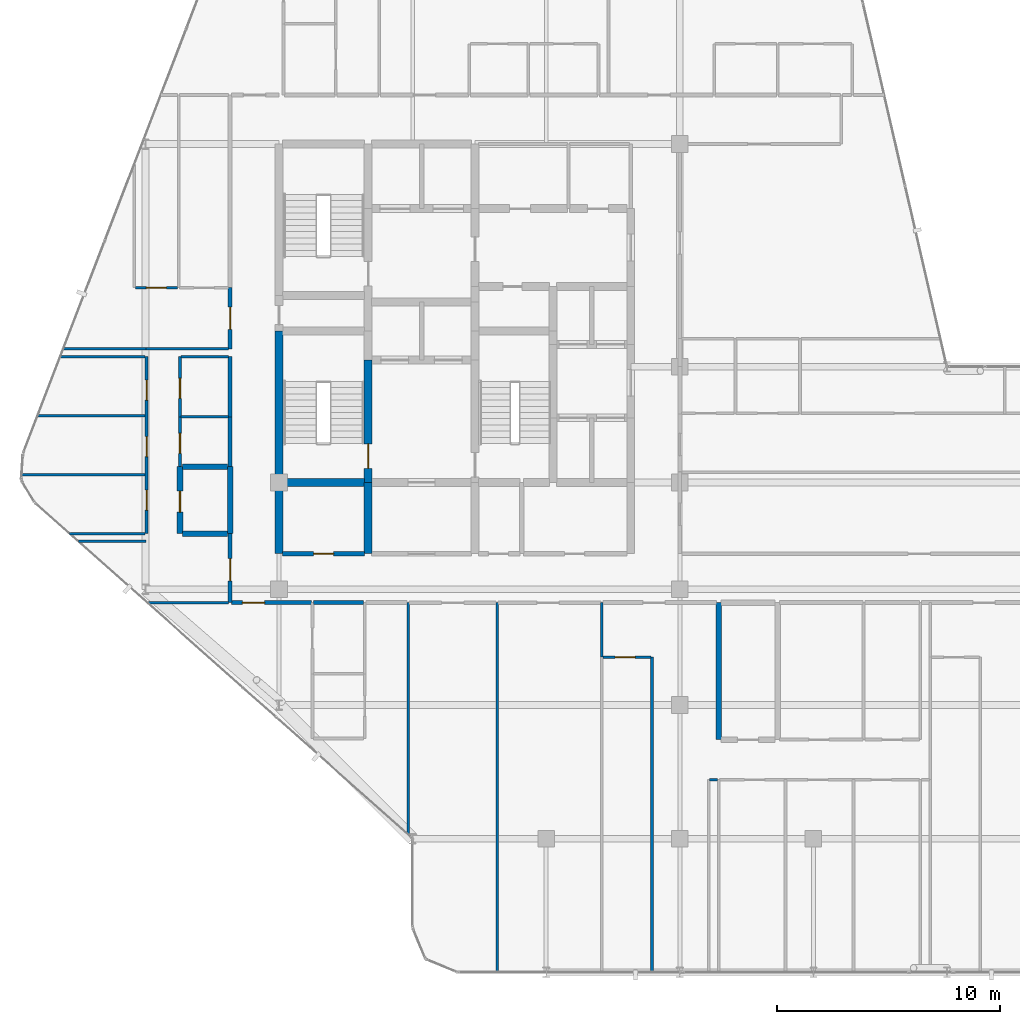
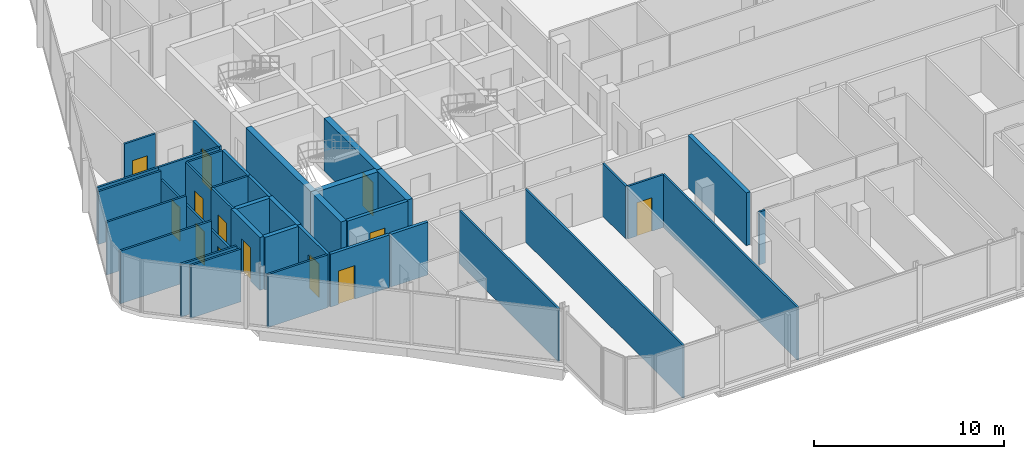
# One storey, part 23 of 29: 37 walls, 13 doors, 13 openings.
"""IFC4 building model written with IfcOpenShell, lengths in metres."""

from ifc_helpers import new_model, si_unit, direction, frame, frame_2d, origin, place, context, subcontext, project, spatial, rectangle, extrude, material, layer, layer_set, type_object, element, fill, save


model = new_model("IFC4")

# Units and contexts
model_context = context("Model", 3, precision=1e-05, world=origin(), true_north=direction((0.0, 1.0)))
body_context = subcontext(model_context, "Body", "Model", "MODEL_VIEW")
ifc_project = project(units=[si_unit("LENGTHUNIT", "METRE"), si_unit("AREAUNIT", "SQUARE_METRE"), si_unit("VOLUMEUNIT", "CUBIC_METRE"), si_unit("PLANEANGLEUNIT", "RADIAN"), si_unit("MASSUNIT", "GRAM", prefix="KILO")], contexts=[model_context])

# Site, building, storey
site_placement = place(None, origin())
site = spatial("IfcSite", under=ifc_project, at=site_placement, CompositionType="ELEMENT")
building_placement = place(site_placement, origin())
building = spatial("IfcBuilding", under=site, at=building_placement, Name="Keshet Zoharim Tower", CompositionType="ELEMENT")
storey_placement = place(building_placement, frame((0.0, 0.0, 210.60009765625)))
storey = spatial("IfcBuildingStorey", under=building, at=storey_placement, Name="L52", CompositionType="ELEMENT", Elevation=210.60009765625)

# Walls
ifc_material_1 = material(Name="Concrete C60/75", Category="concrete")
ifc_layer_1 = layer(ifc_material_1, 0.35009765625)
ifc_layer_set_1 = layer_set([ifc_layer_1], Name="Concrete C60/75")
wall_type_1 = type_object("IfcWallType", Name="WL-CORE-350", PredefinedType="SHEAR", material=ifc_layer_set_1)
wall_1_placement = place(storey_placement, frame((15.0, 19.5, 0.0), z_axis=(0.0, 0.0, 1.0), x_axis=(0.0, 1.0, 0.0)))
element("IfcWall", 1, at=wall_1_placement, inside=storey, type_object=wall_type_1, Name="L52 Core Shear Wall 013", PredefinedType="SHEAR", context=body_context, shape_type="SweptSolid", body=[
    extrude(rectangle(XDim=3.199951171875, YDim=0.35009765625, at=frame_2d((1.60009765625, 0.0))), origin(), (0.0, 0.0, 1.0), 3.389892578125),
])
wall_2_placement = place(storey_placement, frame((15.0, 22.699951171875, 0.0), z_axis=(0.0, 0.0, 1.0), x_axis=(0.0, 1.0, 0.0)))
element("IfcWall", 2, at=wall_2_placement, inside=storey, type_object=wall_type_1, Name="L52 Core Shear Wall 014", PredefinedType="SHEAR", context=body_context, shape_type="SweptSolid", body=[
    extrude(rectangle(XDim=6.800048828125, YDim=0.35009765625, at=frame_2d((3.39990234375, 0.0))), origin(), (0.0, 0.0, 1.0), 3.389892578125),
])
wall_3_placement = place(storey_placement, frame((19.0, 19.5, 0.0), z_axis=(0.0, 0.0, 1.0), x_axis=(0.0, 1.0, 0.0)))
element("IfcWall", 3, at=wall_3_placement, inside=storey, type_object=wall_type_1, Name="L52 Core Shear Wall 025", PredefinedType="SHEAR", context=body_context, shape_type="SweptSolid", body=[
    extrude(rectangle(XDim=3.199951171875, YDim=0.35009765625, at=frame_2d((1.60009765625, 0.0))), origin(), (0.0, 0.0, 1.0), 3.389892578125),
])

# Wall, opening, door
wall_4_placement = place(storey_placement, frame((19.0, 22.699951171875, 0.0), z_axis=(0.0, 0.0, 1.0), x_axis=(0.0, 1.0, 0.0)))
wall_4 = element("IfcWall", 4, at=wall_4_placement, inside=storey, type_object=wall_type_1, Name="L52 Core Shear Wall 026", PredefinedType="SHEAR", context=body_context, shape_type="SweptSolid", body=[
    extrude(rectangle(XDim=5.5, YDim=0.35009765625, at=frame_2d((2.75, 0.0))), origin(), (0.0, 0.0, 1.0), 3.389892578125),
])
opening_1_placement = place(wall_4_placement, frame((0.631103515625, 0.0, 0.0)))
opening_1 = element("IfcOpeningElement", 5, at=opening_1_placement, cuts=wall_4, Name="Opening D-F611", PredefinedType="OPENING", context=body_context, shape_type="SweptSolid", body=[
    extrude(rectangle(XDim=1.10009765625, YDim=2.14990234375, at=frame_2d((0.550048828125, 1.074951171875))), frame((0.0, 0.18505859375, 0.0), z_axis=(0.0, -1.0, 0.0), x_axis=(1.0, 0.0, 0.0)), (0.0, 0.0, 1.0), 0.3701171875),
])
ifc_material_2 = material(Name="Hardwood Timber", Category="wood")
door_type_1 = type_object("IfcDoorType", Name="DR-FD60-110", OperationType="NOTDEFINED", PredefinedType="DOOR", material=ifc_material_2)
door_1_placement = place(opening_1_placement, origin())
door_1 = element("IfcDoor", 6, at=door_1_placement, inside=storey, type_object=door_type_1, Name="L52 Exit Stair ST-01 Fire Door", OperationType="SINGLE_SWING_RIGHT", OverallHeight=2.14990234375, OverallWidth=1.10009765625, PredefinedType="DOOR", context=body_context, shape_type="SweptSolid", body=[
    extrude(rectangle(XDim=1.10009765625, YDim=2.14990234375, at=frame_2d((0.550048828125, 1.074951171875))), frame((0.0, 0.02490234375, 0.0), z_axis=(0.0, -1.0, 0.0), x_axis=(1.0, 0.0, 0.0)), (0.0, 0.0, 1.0), 0.050048828125),
])
fill(opening_1, door_1)

# Wall
wall_5_placement = place(storey_placement, frame((15.159912109375, 22.699951171875, 0.0), z_axis=(0.0, 0.0, 1.0), x_axis=(1.0, 0.0, 0.0)))
element("IfcWall", 7, at=wall_5_placement, inside=storey, type_object=wall_type_1, Name="L52 Core Shear Wall 139", PredefinedType="SHEAR", context=body_context, shape_type="SweptSolid", body=[
    extrude(rectangle(XDim=3.68017578125, YDim=0.35009765625, at=frame_2d((1.840087890625, 0.0))), origin(), (0.0, 0.0, 1.0), 3.389892578125),
])

# Wall, opening, door
ifc_material_3 = material(Name="Gypsum Plasterboard", Category="gypsum")
ifc_layer_2 = layer(ifc_material_3, 0.179931640625)
ifc_layer_set_2 = layer_set([ifc_layer_2], Name="Gypsum Plasterboard")
wall_type_2 = type_object("IfcWallType", Name="WL-CORR-180", PredefinedType="STANDARD", material=ifc_layer_set_2)
wall_6_placement = place(storey_placement, frame((12.800048828125, 17.300048828125, 0.0), z_axis=(0.0, 0.0, 1.0), x_axis=(0.0, 1.0, 0.0)))
wall_6 = element("IfcWall", 8, at=wall_6_placement, inside=storey, type_object=wall_type_2, Name="L52 Interior Wall 007", PredefinedType="STANDARD", context=body_context, shape_type="SweptSolid", body=[
    extrude(rectangle(XDim=3.099853515625, YDim=0.179931640625, at=frame_2d((1.5498046875, 0.0))), origin(), (0.0, 0.0, 1.0), 3.389892578125),
])
opening_2_placement = place(wall_6_placement, frame((0.97802734375, 0.0, 0.0)))
opening_2 = element("IfcOpeningElement", 9, at=opening_2_placement, cuts=wall_6, Name="Opening D-F310", PredefinedType="OPENING", context=body_context, shape_type="SweptSolid", body=[
    extrude(rectangle(XDim=1.0, YDim=2.14990234375, at=frame_2d((0.5, 1.074951171875))), frame((0.0, 0.10009765625, 0.0), z_axis=(0.0, -1.0, 0.0), x_axis=(1.0, 0.0, 0.0)), (0.0, 0.0, 1.0), 0.199951171875),
])
door_type_2 = type_object("IfcDoorType", Name="DR-FD30-100", OperationType="NOTDEFINED", PredefinedType="DOOR", material=ifc_material_2)
door_2_placement = place(opening_2_placement, origin())
door_2 = element("IfcDoor", 10, at=door_2_placement, inside=storey, type_object=door_type_2, Name="Apartment 5207 Entrance Door", OperationType="SINGLE_SWING_LEFT", OverallHeight=2.14990234375, OverallWidth=1.0, PredefinedType="DOOR", context=body_context, shape_type="SweptSolid", body=[
    extrude(rectangle(XDim=1.0, YDim=2.14990234375, at=frame_2d((0.5, 1.074951171875))), frame((0.0, 0.02490234375, 0.0), z_axis=(0.0, -1.0, 0.0), x_axis=(1.0, 0.0, 0.0)), (0.0, 0.0, 1.0), 0.050048828125),
])
fill(opening_2, door_2)

# Walls
wall_7_placement = place(storey_placement, frame((12.800048828125, 23.4208984375, 0.0), z_axis=(0.0, 0.0, 1.0), x_axis=(0.0, 1.0, 0.0)))
element("IfcWall", 11, at=wall_7_placement, inside=storey, type_object=wall_type_2, Name="L52 Interior Wall 009", PredefinedType="STANDARD", context=body_context, shape_type="SweptSolid", body=[
    extrude(rectangle(XDim=2.22607421875, YDim=0.179931640625, at=frame_2d((1.113037109375, 0.0))), origin(), (0.0, 0.0, 1.0), 3.389892578125),
])
wall_8_placement = place(storey_placement, frame((12.800048828125, 25.64697265625, 0.0), z_axis=(0.0, 0.0, 1.0), x_axis=(0.0, 1.0, 0.0)))
element("IfcWall", 12, at=wall_8_placement, inside=storey, type_object=wall_type_2, Name="L52 Interior Wall 010", PredefinedType="STANDARD", context=body_context, shape_type="SweptSolid", body=[
    extrude(rectangle(XDim=2.703125, YDim=0.179931640625, at=frame_2d((1.3515625, 0.0))), origin(), (0.0, 0.0, 1.0), 3.389892578125),
])

# Wall, opening, door
wall_9_placement = place(storey_placement, frame((12.800048828125, 28.699951171875, 0.0), z_axis=(0.0, 0.0, 1.0), x_axis=(0.0, 1.0, 0.0)))
wall_9 = element("IfcWall", 13, at=wall_9_placement, inside=storey, type_object=wall_type_2, Name="L52 Interior Wall 011", PredefinedType="STANDARD", context=body_context, shape_type="SweptSolid", body=[
    extrude(rectangle(XDim=2.75, YDim=0.179931640625, at=frame_2d((1.375, 0.0))), origin(), (0.0, 0.0, 1.0), 3.389892578125),
])
opening_3_placement = place(wall_9_placement, frame((0.875, 0.0, 0.0)))
opening_3 = element("IfcOpeningElement", 14, at=opening_3_placement, cuts=wall_9, Name="Opening D-F310", PredefinedType="OPENING", context=body_context, shape_type="SweptSolid", body=[
    extrude(rectangle(XDim=1.0, YDim=2.14990234375, at=frame_2d((0.5, 1.074951171875))), frame((0.0, 0.10009765625, 0.0), z_axis=(0.0, -1.0, 0.0), x_axis=(1.0, 0.0, 0.0)), (0.0, 0.0, 1.0), 0.199951171875),
])
door_3_placement = place(opening_3_placement, origin())
door_3 = element("IfcDoor", 15, at=door_3_placement, inside=storey, type_object=door_type_2, Name="Apartment 5208 Entrance Door", OperationType="SINGLE_SWING_RIGHT", OverallHeight=2.14990234375, OverallWidth=1.0, PredefinedType="DOOR", context=body_context, shape_type="SweptSolid", body=[
    extrude(rectangle(XDim=1.0, YDim=2.14990234375, at=frame_2d((0.5, 1.074951171875))), frame((0.0, 0.02490234375, 0.0), z_axis=(0.0, -1.0, 0.0), x_axis=(1.0, 0.0, 0.0)), (0.0, 0.0, 1.0), 0.050048828125),
])
fill(opening_3, door_3)

wall_10_placement = place(storey_placement, frame((12.875, 17.300048828125, 0.0), z_axis=(0.0, 0.0, 1.0), x_axis=(1.0, 0.0, 0.0)))
wall_10 = element("IfcWall", 16, at=wall_10_placement, inside=storey, type_object=wall_type_2, Name="L52 Interior Wall 117", PredefinedType="STANDARD", context=body_context, shape_type="SweptSolid", body=[
    extrude(rectangle(XDim=3.580078125, YDim=0.179931640625, at=frame_2d((1.7900390625, 0.0))), origin(), (0.0, 0.0, 1.0), 3.389892578125),
])
opening_4_placement = place(wall_10_placement, frame((0.472900390625, 0.0, 0.0)))
opening_4 = element("IfcOpeningElement", 17, at=opening_4_placement, cuts=wall_10, Name="Opening D-F310", PredefinedType="OPENING", context=body_context, shape_type="SweptSolid", body=[
    extrude(rectangle(XDim=1.0, YDim=2.14990234375, at=frame_2d((0.5, 1.074951171875))), frame((0.0, 0.10009765625, 0.0), z_axis=(0.0, -1.0, 0.0), x_axis=(1.0, 0.0, 0.0)), (0.0, 0.0, 1.0), 0.199951171875),
])
door_4_placement = place(opening_4_placement, origin())
door_4 = element("IfcDoor", 18, at=door_4_placement, inside=storey, type_object=door_type_2, Name="Apartment 5201 Entrance Door", OperationType="SINGLE_SWING_RIGHT", OverallHeight=2.14990234375, OverallWidth=1.0, PredefinedType="DOOR", context=body_context, shape_type="SweptSolid", body=[
    extrude(rectangle(XDim=1.0, YDim=2.14990234375, at=frame_2d((0.5, 1.074951171875))), frame((0.0, 0.02490234375, 0.0), z_axis=(0.0, -1.0, 0.0), x_axis=(1.0, 0.0, 0.0)), (0.0, 0.0, 1.0), 0.050048828125),
])
fill(opening_4, door_4)

# Wall
wall_11_placement = place(storey_placement, frame((16.544921875, 17.300048828125, 0.0), z_axis=(0.0, 0.0, 1.0), x_axis=(1.0, 0.0, 0.0)))
element("IfcWall", 19, at=wall_11_placement, inside=storey, type_object=wall_type_2, Name="L52 Interior Wall 118", PredefinedType="STANDARD", context=body_context, shape_type="SweptSolid", body=[
    extrude(rectangle(XDim=2.260009765625, YDim=0.179931640625, at=frame_2d((1.1298828125, 0.0))), origin(), (0.0, 0.0, 1.0), 3.389892578125),
])

# Wall, opening, door
ifc_material_4 = material(Name="Concrete C50/60", Category="concrete")
ifc_layer_3 = layer(ifc_material_4, 0.199951171875)
ifc_layer_set_3 = layer_set([ifc_layer_3], Name="Concrete C50/60")
wall_type_3 = type_object("IfcWallType", Name="WL-FIRE-200", PredefinedType="STANDARD", material=ifc_layer_set_3)
wall_12_placement = place(storey_placement, frame((15.159912109375, 19.5, 0.0), z_axis=(0.0, 0.0, 1.0), x_axis=(1.0, 0.0, 0.0)))
wall_12 = element("IfcWall", 20, at=wall_12_placement, inside=storey, type_object=wall_type_3, Name="L52 Interior Wall 131", PredefinedType="STANDARD", context=body_context, shape_type="SweptSolid", body=[
    extrude(rectangle(XDim=3.68017578125, YDim=0.199951171875, at=frame_2d((1.840087890625, 0.0))), origin(), (0.0, 0.0, 1.0), 3.389892578125),
])
opening_5_placement = place(wall_12_placement, frame((1.389892578125, 0.0, 0.0)))
opening_5 = element("IfcOpeningElement", 21, at=opening_5_placement, cuts=wall_12, Name="Opening D-F690", PredefinedType="OPENING", context=body_context, shape_type="SweptSolid", body=[
    extrude(rectangle(XDim=0.89990234375, YDim=2.14990234375, at=frame_2d((0.449951171875, 1.074951171875))), frame((0.0, 0.10986328125, 0.0), z_axis=(0.0, -1.0, 0.0), x_axis=(1.0, 0.0, 0.0)), (0.0, 0.0, 1.0), 0.219970703125),
])
door_type_3 = type_object("IfcDoorType", Name="DR-FD60-090", OperationType="NOTDEFINED", PredefinedType="DOOR", material=ifc_material_2)
door_5_placement = place(opening_5_placement, origin())
door_5 = element("IfcDoor", 22, at=door_5_placement, inside=storey, type_object=door_type_3, Name="L52 Refuse Room Door", OperationType="SINGLE_SWING_LEFT", OverallHeight=2.14990234375, OverallWidth=0.89990234375, PredefinedType="DOOR", context=body_context, shape_type="SweptSolid", body=[
    extrude(rectangle(XDim=0.89990234375, YDim=2.14990234375, at=frame_2d((0.449951171875, 1.074951171875))), frame((0.0, 0.02490234375, 0.0), z_axis=(0.0, -1.0, 0.0), x_axis=(1.0, 0.0, 0.0)), (0.0, 0.0, 1.0), 0.050048828125),
])
fill(opening_5, door_5)

ifc_layer_4 = layer(ifc_material_4, 0.25)
ifc_layer_set_4 = layer_set([ifc_layer_4], Name="Concrete C50/60")
wall_type_4 = type_object("IfcWallType", Name="WL-MAMAD-250", PredefinedType="STANDARD", material=ifc_layer_set_4)
wall_13_placement = place(storey_placement, frame((10.550048828125, 20.39990234375, 0.0), z_axis=(0.0, 0.0, 1.0), x_axis=(0.0, 1.0, 0.0)))
wall_13 = element("IfcWall", 23, at=wall_13_placement, inside=storey, type_object=wall_type_4, Name="L52 Interior Wall 004", PredefinedType="STANDARD", context=body_context, shape_type="SweptSolid", body=[
    extrude(rectangle(XDim=3.02099609375, YDim=0.25, at=frame_2d((1.510498046875, 0.0))), origin(), (0.0, 0.0, 1.0), 3.389892578125),
])
opening_6_placement = place(wall_13_placement, frame((0.964111328125, 0.0, 0.0)))
opening_6 = element("IfcOpeningElement", 24, at=opening_6_placement, cuts=wall_13, Name="Opening D-F695", PredefinedType="OPENING", context=body_context, shape_type="SweptSolid", body=[
    extrude(rectangle(XDim=0.949951171875, YDim=2.14990234375, at=frame_2d((0.47509765625, 1.074951171875))), frame((0.0, 0.135009765625, 0.0), z_axis=(0.0, -1.0, 0.0), x_axis=(1.0, 0.0, 0.0)), (0.0, 0.0, 1.0), 0.27001953125),
])
door_type_4 = type_object("IfcDoorType", Name="DR-FD60-095", OperationType="NOTDEFINED", PredefinedType="DOOR", material=ifc_material_2)
door_6_placement = place(opening_6_placement, origin())
door_6 = element("IfcDoor", 25, at=door_6_placement, inside=storey, type_object=door_type_4, Name="Apartment 5207 Study and Shelter Room Door", OperationType="SINGLE_SWING_RIGHT", OverallHeight=2.14990234375, OverallWidth=0.949951171875, PredefinedType="DOOR", context=body_context, shape_type="SweptSolid", body=[
    extrude(rectangle(XDim=0.949951171875, YDim=2.14990234375, at=frame_2d((0.47509765625, 1.074951171875))), frame((0.0, 0.02490234375, 0.0), z_axis=(0.0, -1.0, 0.0), x_axis=(1.0, 0.0, 0.0)), (0.0, 0.0, 1.0), 0.050048828125),
])
fill(opening_6, door_6)

# Walls
wall_14_placement = place(storey_placement, frame((12.800048828125, 20.39990234375, 0.0), z_axis=(0.0, 0.0, 1.0), x_axis=(0.0, 1.0, 0.0)))
element("IfcWall", 26, at=wall_14_placement, inside=storey, type_object=wall_type_4, Name="L52 Interior Wall 008", PredefinedType="STANDARD", context=body_context, shape_type="SweptSolid", body=[
    extrude(rectangle(XDim=3.02099609375, YDim=0.25, at=frame_2d((1.510498046875, 0.0))), origin(), (0.0, 0.0, 1.0), 3.389892578125),
])
wall_15_placement = place(storey_placement, frame((34.75, 11.14990234375, 0.0), z_axis=(0.0, 0.0, 1.0), x_axis=(0.0, 1.0, 0.0)))
element("IfcWall", 27, at=wall_15_placement, inside=storey, type_object=wall_type_4, Name="L52 Interior Wall 076", PredefinedType="STANDARD", context=body_context, shape_type="SweptSolid", body=[
    extrude(rectangle(XDim=6.150146484375, YDim=0.25, at=frame_2d((3.0751953125, 0.0))), origin(), (0.0, 0.0, 1.0), 3.389892578125),
])
for number, where, z_axis, x_axis, name in (
    (28, (10.659912109375, 20.39990234375, 0.0), (0.0, 0.0, 1.0), (1.0, 0.0, 0.0), "L52 Interior Wall 138"),
    (29, (10.659912109375, 23.39990234375, 0.0), (0.0, 0.0, 1.0), (1.0, 0.0, 0.0), "L52 Interior Wall 146"),
):
    element("IfcWall", number, at=place(storey_placement, frame(where, z_axis=z_axis, x_axis=x_axis)), inside=storey, type_object=wall_type_4, Name=name, PredefinedType="STANDARD", context=body_context, shape_type="SweptSolid", body=[
        extrude(rectangle(XDim=2.030029296875, YDim=0.25, at=frame_2d((1.01513671875, 0.0))), origin(), (0.0, 0.0, 1.0), 3.389892578125),
    ])

# Wall, openings, doors
ifc_layer_5 = layer(ifc_material_3, 0.1201171875)
ifc_layer_set_5 = layer_set([ifc_layer_5], Name="Gypsum Plasterboard")
wall_type_5 = type_object("IfcWallType", Name="WL-PART-120", PredefinedType="PARTITIONING", material=ifc_layer_set_5)
wall_16_placement = place(storey_placement, frame((9.050048828125, 20.39990234375, 0.0), z_axis=(0.0, 0.0, 1.0), x_axis=(0.0, 1.0, 0.0)))
wall_16 = element("IfcWall", 30, at=wall_16_placement, inside=storey, type_object=wall_type_5, Name="L52 Interior Wall 002", PredefinedType="PARTITIONING", context=body_context, shape_type="SweptSolid", body=[
    extrude(rectangle(XDim=7.9501953125, YDim=0.1201171875, at=frame_2d((3.97509765625, 0.0))), origin(), (0.0, 0.0, 1.0), 2.789794921875),
])
opening_7_placement = place(wall_16_placement, frame((1.050048828125, 0.0, 0.0)))
opening_7 = element("IfcOpeningElement", 31, at=opening_7_placement, cuts=wall_16, Name="Opening D-IN90", PredefinedType="OPENING", context=body_context, shape_type="SweptSolid", body=[
    extrude(rectangle(XDim=0.89990234375, YDim=2.14990234375, at=frame_2d((0.449951171875, 1.074951171875))), frame((0.0, 0.070068359375, 0.0), z_axis=(0.0, -1.0, 0.0), x_axis=(1.0, 0.0, 0.0)), (0.0, 0.0, 1.0), 0.14013671875),
])
opening_8_placement = place(wall_16_placement, frame((3.455078125, 0.0, 0.0)))
opening_8 = element("IfcOpeningElement", 32, at=opening_8_placement, cuts=wall_16, Name="Opening D-IN90", PredefinedType="OPENING", context=body_context, shape_type="SweptSolid", body=[
    extrude(rectangle(XDim=0.89990234375, YDim=2.14990234375, at=frame_2d((0.449951171875, 1.074951171875))), frame((0.0, 0.070068359375, 0.0), z_axis=(0.0, -1.0, 0.0), x_axis=(1.0, 0.0, 0.0)), (0.0, 0.0, 1.0), 0.14013671875),
])
opening_9_placement = place(wall_16_placement, frame((6.0, 0.0, 0.0)))
opening_9 = element("IfcOpeningElement", 33, at=opening_9_placement, cuts=wall_16, Name="Opening D-IN90", PredefinedType="OPENING", context=body_context, shape_type="SweptSolid", body=[
    extrude(rectangle(XDim=0.89990234375, YDim=2.14990234375, at=frame_2d((0.449951171875, 1.074951171875))), frame((0.0, 0.070068359375, 0.0), z_axis=(0.0, -1.0, 0.0), x_axis=(1.0, 0.0, 0.0)), (0.0, 0.0, 1.0), 0.14013671875),
])
door_type_5 = type_object("IfcDoorType", Name="DR-INT-090", OperationType="NOTDEFINED", PredefinedType="DOOR", material=ifc_material_2)
door_7_placement = place(opening_7_placement, origin())
door_7 = element("IfcDoor", 34, at=door_7_placement, inside=storey, type_object=door_type_5, Name="Apartment 5207 Bedroom 1 Door", OperationType="SINGLE_SWING_LEFT", OverallHeight=2.14990234375, OverallWidth=0.89990234375, PredefinedType="DOOR", context=body_context, shape_type="SweptSolid", body=[
    extrude(rectangle(XDim=0.89990234375, YDim=2.14990234375, at=frame_2d((0.449951171875, 1.074951171875))), frame((0.0, 0.02490234375, 0.0), z_axis=(0.0, -1.0, 0.0), x_axis=(1.0, 0.0, 0.0)), (0.0, 0.0, 1.0), 0.050048828125),
])
fill(opening_7, door_7)
door_8_placement = place(opening_8_placement, origin())
door_8 = element("IfcDoor", 35, at=door_8_placement, inside=storey, type_object=door_type_5, Name="Apartment 5207 Bedroom 2 Door", OperationType="SINGLE_SWING_RIGHT", OverallHeight=2.14990234375, OverallWidth=0.89990234375, PredefinedType="DOOR", context=body_context, shape_type="SweptSolid", body=[
    extrude(rectangle(XDim=0.89990234375, YDim=2.14990234375, at=frame_2d((0.449951171875, 1.074951171875))), frame((0.0, 0.02490234375, 0.0), z_axis=(0.0, -1.0, 0.0), x_axis=(1.0, 0.0, 0.0)), (0.0, 0.0, 1.0), 0.050048828125),
])
fill(opening_8, door_8)
door_9_placement = place(opening_9_placement, origin())
door_9 = element("IfcDoor", 36, at=door_9_placement, inside=storey, type_object=door_type_5, Name="Apartment 5207 Bedroom 3 Door", OperationType="SINGLE_SWING_LEFT", OverallHeight=2.14990234375, OverallWidth=0.89990234375, PredefinedType="DOOR", context=body_context, shape_type="SweptSolid", body=[
    extrude(rectangle(XDim=0.89990234375, YDim=2.14990234375, at=frame_2d((0.449951171875, 1.074951171875))), frame((0.0, 0.02490234375, 0.0), z_axis=(0.0, -1.0, 0.0), x_axis=(1.0, 0.0, 0.0)), (0.0, 0.0, 1.0), 0.050048828125),
])
fill(opening_9, door_9)

# Wall, opening, door
wall_17_placement = place(storey_placement, frame((10.550048828125, 25.64697265625, 0.0), z_axis=(0.0, 0.0, 1.0), x_axis=(0.0, 1.0, 0.0)))
wall_17 = element("IfcWall", 37, at=wall_17_placement, inside=storey, type_object=wall_type_5, Name="L52 Interior Wall 006", PredefinedType="PARTITIONING", context=body_context, shape_type="SweptSolid", body=[
    extrude(rectangle(XDim=2.703125, YDim=0.1201171875, at=frame_2d((1.3515625, 0.0))), origin(), (0.0, 0.0, 1.0), 3.389892578125),
])
opening_10_placement = place(wall_17_placement, frame((0.830078125, 0.0, 0.0)))
opening_10 = element("IfcOpeningElement", 38, at=opening_10_placement, cuts=wall_17, Name="Opening D-IN90", PredefinedType="OPENING", context=body_context, shape_type="SweptSolid", body=[
    extrude(rectangle(XDim=0.89990234375, YDim=2.14990234375, at=frame_2d((0.449951171875, 1.074951171875))), frame((0.0, 0.070068359375, 0.0), z_axis=(0.0, -1.0, 0.0), x_axis=(1.0, 0.0, 0.0)), (0.0, 0.0, 1.0), 0.14013671875),
])
door_10_placement = place(opening_10_placement, origin())
door_10 = element("IfcDoor", 39, at=door_10_placement, inside=storey, type_object=door_type_5, Name="Apartment 5207 Kitchen Door", OperationType="SINGLE_SWING_RIGHT", OverallHeight=2.14990234375, OverallWidth=0.89990234375, PredefinedType="DOOR", context=body_context, shape_type="SweptSolid", body=[
    extrude(rectangle(XDim=0.89990234375, YDim=2.14990234375, at=frame_2d((0.449951171875, 1.074951171875))), frame((0.0, 0.02490234375, 0.0), z_axis=(0.0, -1.0, 0.0), x_axis=(1.0, 0.0, 0.0)), (0.0, 0.0, 1.0), 0.050048828125),
])
fill(opening_10, door_10)

# Walls
wall_18_placement = place(storey_placement, frame((20.800048828125, 6.887939453125, 0.0), z_axis=(0.0, 0.0, 1.0), x_axis=(0.0, 1.0, 0.0)))
element("IfcWall", 40, at=wall_18_placement, inside=storey, type_object=wall_type_5, Name="L52 Interior Wall 031", PredefinedType="PARTITIONING", context=body_context, shape_type="SweptSolid", body=[
    extrude(rectangle(XDim=10.412109375, YDim=0.1201171875, at=frame_2d((5.2060546875, 0.0))), origin(), (0.0, 0.0, 1.0), 3.389892578125),
])
wall_19_placement = place(storey_placement, frame((24.800048828125, 0.7099609375, 0.0), z_axis=(0.0, 0.0, 1.0), x_axis=(0.0, 1.0, 0.0)))
element("IfcWall", 41, at=wall_19_placement, inside=storey, type_object=wall_type_5, Name="L52 Interior Wall 044", PredefinedType="PARTITIONING", context=body_context, shape_type="SweptSolid", body=[
    extrude(rectangle(XDim=16.590087890625, YDim=0.1201171875, at=frame_2d((8.294921875, 0.0))), origin(), (0.0, 0.0, 1.0), 3.389892578125),
])
wall_20_placement = place(storey_placement, frame((29.5, 14.85009765625, 0.0), z_axis=(0.0, 0.0, 1.0), x_axis=(0.0, 1.0, 0.0)))
element("IfcWall", 42, at=wall_20_placement, inside=storey, type_object=wall_type_5, Name="L52 Interior Wall 058", PredefinedType="PARTITIONING", context=body_context, shape_type="SweptSolid", body=[
    extrude(rectangle(XDim=2.449951171875, YDim=0.1201171875, at=frame_2d((1.22509765625, 0.0))), origin(), (0.0, 0.0, 1.0), 3.389892578125),
])
wall_21_placement = place(storey_placement, frame((31.75, 0.7099609375, 0.0), z_axis=(0.0, 0.0, 1.0), x_axis=(0.0, 1.0, 0.0)))
element("IfcWall", 43, at=wall_21_placement, inside=storey, type_object=wall_type_5, Name="L52 Interior Wall 066", PredefinedType="PARTITIONING", context=body_context, shape_type="SweptSolid", body=[
    extrude(rectangle(XDim=14.14013671875, YDim=0.1201171875, at=frame_2d((7.070068359375, 0.0))), origin(), (0.0, 0.0, 1.0), 3.389892578125),
])
wall_22_placement = place(storey_placement, frame((34.344970703125, 9.35009765625, 0.0), z_axis=(0.0, 0.0, 1.0), x_axis=(1.0, 0.0, 0.0)))
element("IfcWall", 44, at=wall_22_placement, inside=storey, type_object=wall_type_5, Name="L52 Interior Wall 102", PredefinedType="PARTITIONING", context=body_context, shape_type="SweptSolid", body=[
    extrude(rectangle(XDim=0.360107421875, YDim=0.1201171875, at=frame_2d((0.18017578125, 0.0))), origin(), (0.0, 0.0, 1.0), 3.389892578125),
])

# Wall, opening, door
wall_23_placement = place(storey_placement, frame((29.544921875, 14.85009765625, 0.0), z_axis=(0.0, 0.0, 1.0), x_axis=(1.0, 0.0, 0.0)))
wall_23 = element("IfcWall", 45, at=wall_23_placement, inside=storey, type_object=wall_type_5, Name="L52 Interior Wall 114", PredefinedType="PARTITIONING", context=body_context, shape_type="SweptSolid", body=[
    extrude(rectangle(XDim=2.16015625, YDim=0.1201171875, at=frame_2d((1.080078125, 0.0))), origin(), (0.0, 0.0, 1.0), 3.389892578125),
])
opening_11_placement = place(wall_23_placement, frame((0.552978515625, 0.0, 0.0)))
opening_11 = element("IfcOpeningElement", 46, at=opening_11_placement, cuts=wall_23, Name="Opening D-IN90", PredefinedType="OPENING", context=body_context, shape_type="SweptSolid", body=[
    extrude(rectangle(XDim=0.89990234375, YDim=2.14990234375, at=frame_2d((0.449951171875, 1.074951171875))), frame((0.0, 0.070068359375, 0.0), z_axis=(0.0, -1.0, 0.0), x_axis=(1.0, 0.0, 0.0)), (0.0, 0.0, 1.0), 0.14013671875),
])
door_11_placement = place(opening_11_placement, origin())
door_11 = element("IfcDoor", 47, at=door_11_placement, inside=storey, type_object=door_type_5, Name="Apartment 5202 Formal Dining Room Door", OperationType="SINGLE_SWING_RIGHT", OverallHeight=2.14990234375, OverallWidth=0.89990234375, PredefinedType="DOOR", context=body_context, shape_type="SweptSolid", body=[
    extrude(rectangle(XDim=0.89990234375, YDim=2.14990234375, at=frame_2d((0.449951171875, 1.074951171875))), frame((0.0, 0.02490234375, 0.0), z_axis=(0.0, -1.0, 0.0), x_axis=(1.0, 0.0, 0.0)), (0.0, 0.0, 1.0), 0.050048828125),
])
fill(opening_11, door_11)

# Walls
wall_24_placement = place(storey_placement, frame((9.0849609375, 17.300048828125, 0.0), z_axis=(0.0, 0.0, 1.0), x_axis=(1.0, 0.0, 0.0)))
element("IfcWall", 48, at=wall_24_placement, inside=storey, type_object=wall_type_5, Name="L52 Interior Wall 116", PredefinedType="PARTITIONING", context=body_context, shape_type="SweptSolid", body=[
    extrude(rectangle(XDim=3.64013671875, YDim=0.1201171875, at=frame_2d((1.820068359375, 0.0))), origin(), (0.0, 0.0, 1.0), 3.389892578125),
])
wall_25_placement = place(storey_placement, frame((5.990966796875, 20.050048828125, 0.0), z_axis=(0.0, 0.0, 1.0), x_axis=(1.0, 0.0, 0.0)))
element("IfcWall", 49, at=wall_25_placement, inside=storey, type_object=wall_type_5, Name="L52 Interior Wall 136", PredefinedType="PARTITIONING", context=body_context, shape_type="SweptSolid", body=[
    extrude(rectangle(XDim=3.0390625, YDim=0.1201171875, at=frame_2d((1.51953125, 0.0))), origin(), (0.0, 0.0, 1.0), 3.389892578125),
])
wall_26_placement = place(storey_placement, frame((5.596923828125, 20.39990234375, 0.0), z_axis=(0.0, 0.0, 1.0), x_axis=(1.0, 0.0, 0.0)))
element("IfcWall", 50, at=wall_26_placement, inside=storey, type_object=wall_type_5, Name="L52 Interior Wall 137", PredefinedType="PARTITIONING", context=body_context, shape_type="SweptSolid", body=[
    extrude(rectangle(XDim=3.38818359375, YDim=0.1201171875, at=frame_2d((1.694091796875, 0.0))), origin(), (0.0, 0.0, 1.0), 3.389892578125),
])
wall_27_placement = place(storey_placement, frame((3.446044921875, 23.050048828125, 0.0), z_axis=(0.0, 0.0, 1.0), x_axis=(1.0, 0.0, 0.0)))
element("IfcWall", 51, at=wall_27_placement, inside=storey, type_object=wall_type_5, Name="L52 Interior Wall 144", PredefinedType="PARTITIONING", context=body_context, shape_type="SweptSolid", body=[
    extrude(rectangle(XDim=5.5390625, YDim=0.1201171875, at=frame_2d((2.76953125, 0.0))), origin(), (0.0, 0.0, 1.0), 3.389892578125),
])
wall_28_placement = place(storey_placement, frame((4.1640625, 25.699951171875, 0.0), z_axis=(0.0, 0.0, 1.0), x_axis=(1.0, 0.0, 0.0)))
element("IfcWall", 52, at=wall_28_placement, inside=storey, type_object=wall_type_5, Name="L52 Interior Wall 149", PredefinedType="PARTITIONING", context=body_context, shape_type="SweptSolid", body=[
    extrude(rectangle(XDim=4.821044921875, YDim=0.1201171875, at=frame_2d((2.41064453125, 0.0))), origin(), (0.0, 0.0, 1.0), 3.389892578125),
])
wall_29_placement = place(storey_placement, frame((5.18310546875, 28.35009765625, 0.0), z_axis=(0.0, 0.0, 1.0), x_axis=(1.0, 0.0, 0.0)))
element("IfcWall", 53, at=wall_29_placement, inside=storey, type_object=wall_type_5, Name="L52 Interior Wall 154", PredefinedType="PARTITIONING", context=body_context, shape_type="SweptSolid", body=[
    extrude(rectangle(XDim=3.802001953125, YDim=0.1201171875, at=frame_2d((1.90087890625, 0.0))), origin(), (0.0, 0.0, 1.0), 3.389892578125),
])
wall_30_placement = place(storey_placement, frame((10.594970703125, 28.35009765625, 0.0), z_axis=(0.0, 0.0, 1.0), x_axis=(1.0, 0.0, 0.0)))
element("IfcWall", 54, at=wall_30_placement, inside=storey, type_object=wall_type_5, Name="L52 Interior Wall 155", PredefinedType="PARTITIONING", context=body_context, shape_type="SweptSolid", body=[
    extrude(rectangle(XDim=2.130126953125, YDim=0.1201171875, at=frame_2d((1.06494140625, 0.0))), origin(), (0.0, 0.0, 1.0), 3.389892578125),
])
wall_31_placement = place(storey_placement, frame((5.31689453125, 28.699951171875, 0.0), z_axis=(0.0, 0.0, 1.0), x_axis=(1.0, 0.0, 0.0)))
element("IfcWall", 55, at=wall_31_placement, inside=storey, type_object=wall_type_5, Name="L52 Interior Wall 156", PredefinedType="PARTITIONING", context=body_context, shape_type="SweptSolid", body=[
    extrude(rectangle(XDim=3.713134765625, YDim=0.1201171875, at=frame_2d((1.8564453125, 0.0))), origin(), (0.0, 0.0, 1.0), 3.389892578125),
])
wall_32_placement = place(storey_placement, frame((9.030029296875, 28.699951171875, 0.0), z_axis=(0.0, 0.0, 1.0), x_axis=(1.0, 0.0, 0.0)))
element("IfcWall", 56, at=wall_32_placement, inside=storey, type_object=wall_type_5, Name="L52 Interior Wall 157", PredefinedType="PARTITIONING", context=body_context, shape_type="SweptSolid", body=[
    extrude(rectangle(XDim=3.695068359375, YDim=0.1201171875, at=frame_2d((1.84765625, 0.0))), origin(), (0.0, 0.0, 1.0), 3.389892578125),
])

# Wall, opening, door
wall_33_placement = place(storey_placement, frame((8.544921875, 31.449951171875, 0.0), z_axis=(0.0, 0.0, 1.0), x_axis=(1.0, 0.0, 0.0)))
wall_33 = element("IfcWall", 57, at=wall_33_placement, inside=storey, type_object=wall_type_5, Name="L52 Interior Wall 166", PredefinedType="PARTITIONING", context=body_context, shape_type="SweptSolid", body=[
    extrude(rectangle(XDim=1.88818359375, YDim=0.1201171875, at=frame_2d((0.944091796875, 0.0))), origin(), (0.0, 0.0, 1.0), 3.389892578125),
])
opening_12_placement = place(wall_33_placement, frame((0.493896484375, 0.0, 0.0)))
opening_12 = element("IfcOpeningElement", 58, at=opening_12_placement, cuts=wall_33, Name="Opening D-IN90", PredefinedType="OPENING", context=body_context, shape_type="SweptSolid", body=[
    extrude(rectangle(XDim=0.89990234375, YDim=2.14990234375, at=frame_2d((0.449951171875, 1.074951171875))), frame((0.0, 0.070068359375, 0.0), z_axis=(0.0, -1.0, 0.0), x_axis=(1.0, 0.0, 0.0)), (0.0, 0.0, 1.0), 0.14013671875),
])
door_12_placement = place(opening_12_placement, origin())
door_12 = element("IfcDoor", 59, at=door_12_placement, inside=storey, type_object=door_type_5, Name="Apartment 5208 Kitchen Door", OperationType="SINGLE_SWING_LEFT", OverallHeight=2.14990234375, OverallWidth=0.89990234375, PredefinedType="DOOR", context=body_context, shape_type="SweptSolid", body=[
    extrude(rectangle(XDim=0.89990234375, YDim=2.14990234375, at=frame_2d((0.449951171875, 1.074951171875))), frame((0.0, 0.02490234375, 0.0), z_axis=(0.0, -1.0, 0.0), x_axis=(1.0, 0.0, 0.0)), (0.0, 0.0, 1.0), 0.050048828125),
])
fill(opening_12, door_12)

ifc_layer_6 = layer(ifc_material_3, 0.1201171875)
ifc_layer_set_6 = layer_set([ifc_layer_6], Name="Gypsum Plasterboard")
wall_type_6 = type_object("IfcWallType", Name="WL-WET-120", PredefinedType="PARTITIONING", material=ifc_layer_set_6)
wall_34_placement = place(storey_placement, frame((10.550048828125, 23.4208984375, 0.0), z_axis=(0.0, 0.0, 1.0), x_axis=(0.0, 1.0, 0.0)))
wall_34 = element("IfcWall", 60, at=wall_34_placement, inside=storey, type_object=wall_type_6, Name="L52 Interior Wall 005", PredefinedType="PARTITIONING", context=body_context, shape_type="SweptSolid", body=[
    extrude(rectangle(XDim=2.22607421875, YDim=0.1201171875, at=frame_2d((1.113037109375, 0.0))), origin(), (0.0, 0.0, 1.0), 3.389892578125),
])
opening_13_placement = place(wall_34_placement, frame((0.583984375, 0.0, 0.0)))
opening_13 = element("IfcOpeningElement", 61, at=opening_13_placement, cuts=wall_34, Name="Opening D-WT90", PredefinedType="OPENING", context=body_context, shape_type="SweptSolid", body=[
    extrude(rectangle(XDim=0.89990234375, YDim=2.10009765625, at=frame_2d((0.449951171875, 1.050048828125))), frame((0.0, 0.070068359375, 0.0), z_axis=(0.0, -1.0, 0.0), x_axis=(1.0, 0.0, 0.0)), (0.0, 0.0, 1.0), 0.14013671875),
])
door_type_6 = type_object("IfcDoorType", Name="DR-WET-090", OperationType="NOTDEFINED", PredefinedType="DOOR", material=ifc_material_2)
door_13_placement = place(opening_13_placement, origin())
door_13 = element("IfcDoor", 62, at=door_13_placement, inside=storey, type_object=door_type_6, Name="Apartment 5207 Bathroom Door", OperationType="SINGLE_SWING_LEFT", OverallHeight=2.10009765625, OverallWidth=0.89990234375, PredefinedType="DOOR", context=body_context, shape_type="SweptSolid", body=[
    extrude(rectangle(XDim=0.89990234375, YDim=2.10009765625, at=frame_2d((0.449951171875, 1.050048828125))), frame((0.0, 0.02490234375, 0.0), z_axis=(0.0, -1.0, 0.0), x_axis=(1.0, 0.0, 0.0)), (0.0, 0.0, 1.0), 0.050048828125),
])
fill(opening_13, door_13)

# Wall
wall_35_placement = place(storey_placement, frame((10.594970703125, 25.64990234375, 0.0), z_axis=(0.0, 0.0, 1.0), x_axis=(1.0, 0.0, 0.0)))
element("IfcWall", 63, at=wall_35_placement, inside=storey, type_object=wall_type_6, Name="L52 Interior Wall 148", PredefinedType="PARTITIONING", context=body_context, shape_type="SweptSolid", body=[
    extrude(rectangle(XDim=2.130126953125, YDim=0.1201171875, at=frame_2d((1.06494140625, 0.0))), origin(), (0.0, 0.0, 1.0), 3.389892578125),
])

save(model, "model.ifc")
